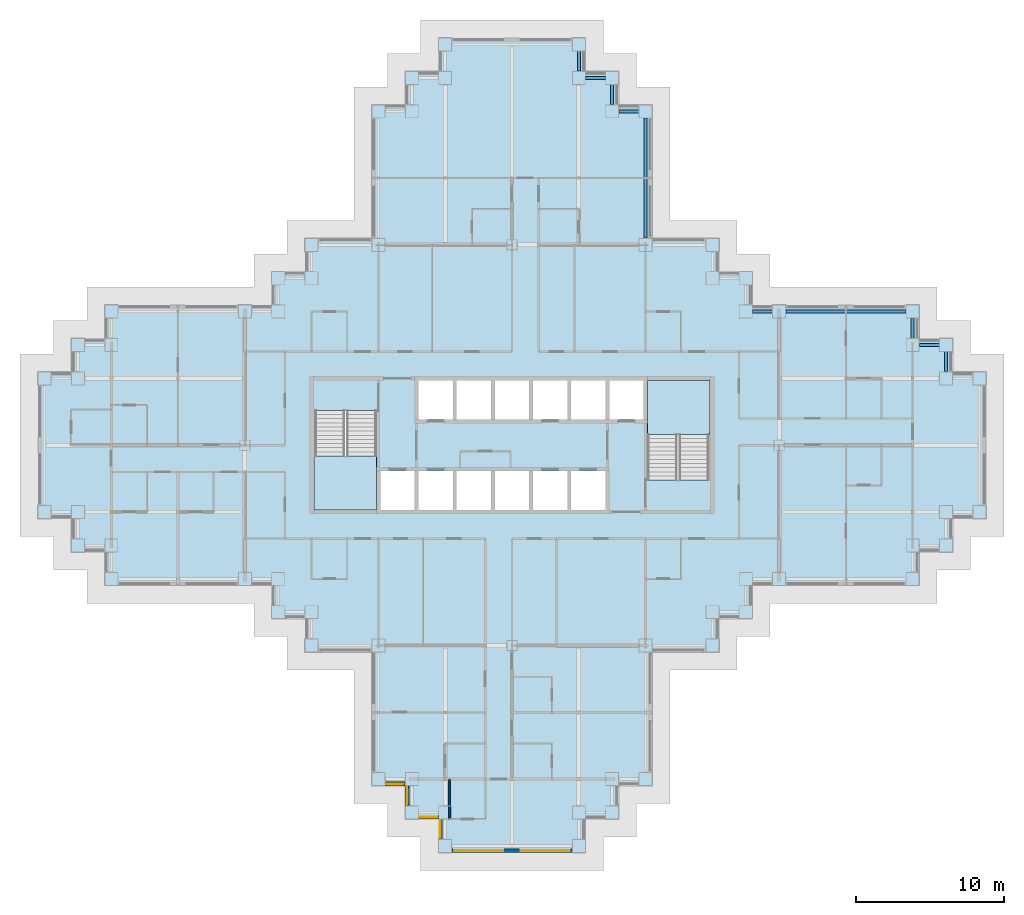
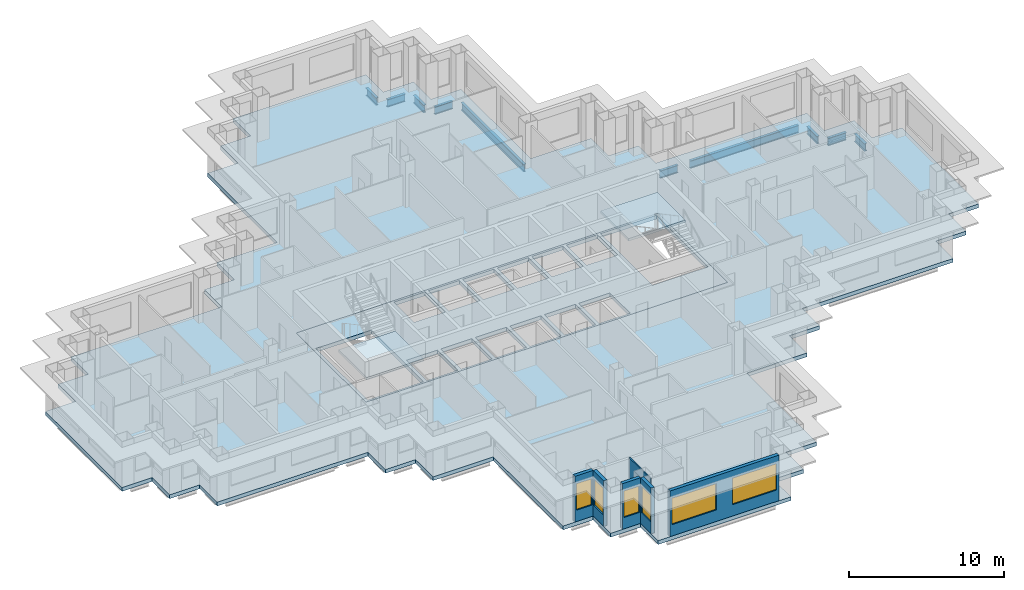
# One storey, part 2 of 15: 10 beams, 6 walls, 6 windows, 4 slabs, 6 openings, 2 elements without a shape of their own.
"""IFC4 building model written with IfcOpenShell, lengths in metres."""

from ifc_helpers import new_model, si_unit, direction, frame, frame_2d, origin, origin_2d, place, context, subcontext, project, spatial, polyline, rectangle, i_section, outline, extrude, material, layer, layer_set, material_profile, profile_set, type_object, element, fill, aggregate, save


model = new_model("IFC4")

# Units and contexts
model_context = context("Model", 3, precision=1e-05, world=origin(), true_north=direction((0.0, 1.0)))
body_context = subcontext(model_context, "Body", "Model", "MODEL_VIEW")
ifc_project = project(units=[si_unit("LENGTHUNIT", "METRE"), si_unit("AREAUNIT", "SQUARE_METRE"), si_unit("VOLUMEUNIT", "CUBIC_METRE"), si_unit("PLANEANGLEUNIT", "RADIAN"), si_unit("MASSUNIT", "GRAM", prefix="KILO")], contexts=[model_context])

# Site, building, storey
site_placement = place(None, origin())
site = spatial("IfcSite", under=ifc_project, at=site_placement, CompositionType="ELEMENT")
building_placement = place(site_placement, origin())
building = spatial("IfcBuilding", under=site, at=building_placement, Name="Caravel Reach Hotel and Residences", CompositionType="ELEMENT")
storey_placement = place(building_placement, frame((0.0, 0.0, 104.39990234375)))
storey = spatial("IfcBuildingStorey", under=building, at=storey_placement, Name="L25", CompositionType="ELEMENT", Elevation=104.39990234375)

# Beams
ifc_material_1 = material(Name="Structural steel Q355B", Category="steel")
ifc_material_profile = material_profile(ifc_material_1, i_section(OverallWidth=0.199951171875, OverallDepth=0.60009765625, WebThickness=0.010986328125, FlangeThickness=0.01708984375, FilletRadius=0.012939453125, at=origin_2d()), Name="HN 600x200x11x17")
ifc_profile_set = profile_set([ifc_material_profile], Name="Structural steel Q355B")
beam_type = type_object("IfcBeamType", Name="Spandrel beam HN 600x200x11x17", PredefinedType="SPANDREL", material=ifc_profile_set)
for number, where, z_axis, x_axis, name in (
    (1, (60.75, 31.949951171875, -0.599853515625), (0.0, 1.0, 0.0), (-1.0, 0.0, 0.0), "SP1 HN 600x200x11x17"),
    (2, (60.300048828125, 33.75, -0.599853515625), (-1.0, 0.0, 0.0), (0.0, -1.0, 0.0), "SP1 HN 600x200x11x17"),
    (3, (58.5, 34.199951171875, -0.599853515625), (0.0, 1.0, 0.0), (-1.0, 0.0, 0.0), "SP1 HN 600x200x11x17"),
):
    element("IfcBeam", number, at=place(storey_placement, frame(where, z_axis=z_axis, x_axis=x_axis)), inside=storey, type_object=beam_type, Name=name, PredefinedType="SPANDREL", context=body_context, shape_type="SweptSolid", body=[
        extrude(i_section(OverallWidth=0.199951171875, OverallDepth=0.60009765625, WebThickness=0.010986328125, FlangeThickness=0.01708984375, FilletRadius=0.012939453125, at=origin_2d()), origin(), (0.0, 0.0, 1.0), 1.35009765625),
    ])
beam_1_placement = place(storey_placement, frame((58.050048828125, 36.0, -0.599853515625), z_axis=(-1.0, 0.0, 0.0), x_axis=(0.0, -1.0, 0.0)))
element("IfcBeam", 4, at=beam_1_placement, inside=storey, type_object=beam_type, Name="SP1 HN 600x200x11x17", PredefinedType="SPANDREL", context=body_context, shape_type="SweptSolid", body=[
    extrude(i_section(OverallWidth=0.199951171875, OverallDepth=0.60009765625, WebThickness=0.010986328125, FlangeThickness=0.01708984375, FilletRadius=0.012939453125, at=origin_2d()), origin(), (0.0, 0.0, 1.0), 8.10009765625),
])
beam_2_placement = place(storey_placement, frame((49.050048828125, 36.0, -0.599853515625), z_axis=(-1.0, 0.0, 0.0), x_axis=(0.0, -1.0, 0.0)))
element("IfcBeam", 5, at=beam_2_placement, inside=storey, type_object=beam_type, Name="SP1 HN 600x200x11x17", PredefinedType="SPANDREL", context=body_context, shape_type="SweptSolid", body=[
    extrude(i_section(OverallWidth=0.199951171875, OverallDepth=0.60009765625, WebThickness=0.010986328125, FlangeThickness=0.01708984375, FilletRadius=0.012939453125, at=origin_2d()), origin(), (0.0, 0.0, 1.0), 1.35009765625),
])
beam_3_placement = place(storey_placement, frame((40.5, 40.949951171875, -0.599853515625), z_axis=(0.0, 1.0, 0.0), x_axis=(-1.0, 0.0, 0.0)))
element("IfcBeam", 6, at=beam_3_placement, inside=storey, type_object=beam_type, Name="SP1 HN 600x200x11x17", PredefinedType="SPANDREL", context=body_context, shape_type="SweptSolid", body=[
    extrude(i_section(OverallWidth=0.199951171875, OverallDepth=0.60009765625, WebThickness=0.010986328125, FlangeThickness=0.01708984375, FilletRadius=0.012939453125, at=origin_2d()), origin(), (0.0, 0.0, 1.0), 8.10009765625),
])
for number, where, z_axis, x_axis, name in (
    (7, (40.050048828125, 49.5, -0.599853515625), (-1.0, 0.0, 0.0), (0.0, -1.0, 0.0), "SP1 HN 600x200x11x17"),
    (8, (38.25, 49.949951171875, -0.599853515625), (0.0, 1.0, 0.0), (-1.0, 0.0, 0.0), "SP1 HN 600x200x11x17"),
    (9, (37.800048828125, 51.75, -0.599853515625), (-1.0, 0.0, 0.0), (0.0, -1.0, 0.0), "SP1 HN 600x200x11x17"),
    (10, (36.0, 52.199951171875, -0.599853515625), (0.0, 1.0, 0.0), (-1.0, 0.0, 0.0), "SP1 HN 600x200x11x17"),
):
    element("IfcBeam", number, at=place(storey_placement, frame(where, z_axis=z_axis, x_axis=x_axis)), inside=storey, type_object=beam_type, Name=name, PredefinedType="SPANDREL", context=body_context, shape_type="SweptSolid", body=[
        extrude(i_section(OverallWidth=0.199951171875, OverallDepth=0.60009765625, WebThickness=0.010986328125, FlangeThickness=0.01708984375, FilletRadius=0.012939453125, at=origin_2d()), origin(), (0.0, 0.0, 1.0), 1.35009765625),
    ])

# Slab
ifc_material_2 = material(Name="Concrete C40", Category="concrete")
ifc_layer_1 = layer(ifc_material_2, 0.300048828125)
ifc_layer_set_1 = layer_set([ifc_layer_1], Name="Core floor slab 300 mm")
slab_type_1 = type_object("IfcSlabType", Name="Core floor slab 300 mm", PredefinedType="FLOOR", material=ifc_layer_set_1)
slab_1_placement = place(storey_placement, frame((0.0, 0.0, -0.2998046875)))
element("IfcSlab", 11, at=slab_1_placement, inside=storey, type_object=slab_type_1, Name="L25 core floor", PredefinedType="FLOOR", context=body_context, shape_type="SweptSolid", body=[
    extrude(outline(polyline([(18.0, 31.5), (45.0, 31.5), (45.0, 22.5), (18.0, 22.5), (18.0, 31.5)]), holes=[polyline([(22.625, 25.27490234375), (22.625, 22.64990234375), (24.9462890625, 22.64990234375), (24.9462890625, 25.27490234375), (22.625, 25.27490234375)]), polyline([(27.517822265625, 25.27490234375), (25.1962890625, 25.27490234375), (25.1962890625, 22.64990234375), (27.517822265625, 22.64990234375), (27.517822265625, 25.27490234375)]), polyline([(30.08935546875, 25.27490234375), (27.767822265625, 25.27490234375), (27.767822265625, 22.64990234375), (30.08935546875, 22.64990234375), (30.08935546875, 25.27490234375)]), polyline([(32.66064453125, 25.27490234375), (30.33935546875, 25.27490234375), (30.33935546875, 22.64990234375), (32.66064453125, 22.64990234375), (32.66064453125, 25.27490234375)]), polyline([(18.22509765625, 22.64990234375), (22.375, 22.64990234375), (22.375, 29.35009765625), (18.22509765625, 29.35009765625), (18.22509765625, 22.64990234375)]), polyline([(27.517822265625, 31.35009765625), (25.1962890625, 31.35009765625), (25.1962890625, 28.72509765625), (27.517822265625, 28.72509765625), (27.517822265625, 31.35009765625)]), polyline([(30.08935546875, 31.35009765625), (27.767822265625, 31.35009765625), (27.767822265625, 28.72509765625), (30.08935546875, 28.72509765625), (30.08935546875, 31.35009765625)]), polyline([(32.91064453125, 25.27490234375), (32.91064453125, 22.64990234375), (35.232177734375, 22.64990234375), (35.232177734375, 25.27490234375), (32.91064453125, 25.27490234375)]), polyline([(37.8037109375, 25.27490234375), (35.482177734375, 25.27490234375), (35.482177734375, 22.64990234375), (37.8037109375, 22.64990234375), (37.8037109375, 25.27490234375)]), polyline([(44.77490234375, 31.35009765625), (40.625, 31.35009765625), (40.625, 24.64990234375), (44.77490234375, 24.64990234375), (44.77490234375, 31.35009765625)]), polyline([(32.66064453125, 31.35009765625), (30.33935546875, 31.35009765625), (30.33935546875, 28.72509765625), (32.66064453125, 28.72509765625), (32.66064453125, 31.35009765625)]), polyline([(35.232177734375, 31.35009765625), (32.91064453125, 31.35009765625), (32.91064453125, 28.72509765625), (35.232177734375, 28.72509765625), (35.232177734375, 31.35009765625)]), polyline([(37.8037109375, 31.35009765625), (35.482177734375, 31.35009765625), (35.482177734375, 28.72509765625), (37.8037109375, 28.72509765625), (37.8037109375, 31.35009765625)]), polyline([(40.375, 31.35009765625), (38.0537109375, 31.35009765625), (38.0537109375, 28.72509765625), (40.375, 28.72509765625), (40.375, 31.35009765625)])]), origin(), (0.0, 0.0, 1.0), 0.2998046875),
])

# Stair, slab
ifc_material_3 = material(Name="Concrete C40", Category="concrete")
stair_type = type_object("IfcStairType", Name="Core stair", PredefinedType="HALF_TURN_STAIR", material=ifc_material_3)
stair_1_placement = place(storey_placement, origin())
stair_1 = element("IfcStair", 12, at=stair_1_placement, inside=storey, type_object=stair_type, Name="L25 Exit stair A", PredefinedType="HALF_TURN_STAIR")
ifc_material_4 = material(Name="Concrete C40", Category="concrete")
ifc_layer_2 = layer(ifc_material_4, 0.199951171875)
ifc_layer_set_2 = layer_set([ifc_layer_2], Name="Core stair landing")
slab_type_2 = type_object("IfcSlabType", Name="Core stair landing", PredefinedType="LANDING", material=ifc_layer_set_2)
slab_2_placement = place(storey_placement, frame((0.0, 0.0, 1.60009765625)))
slab_2 = element("IfcSlab", 13, at=slab_2_placement, type_object=slab_type_2, Name="ST-A landing 1", PredefinedType="LANDING", context=body_context, shape_type="SweptSolid", body=[
    extrude(outline(polyline([(18.14990234375, 26.27001953125), (18.14990234375, 22.64990234375), (22.375, 22.64990234375), (22.375, 26.27001953125), (18.14990234375, 26.27001953125)])), origin(), (0.0, 0.0, 1.0), 0.199951171875),
])
aggregate(stair_1, [slab_2])

stair_2_placement = place(storey_placement, origin())
stair_2 = element("IfcStair", 14, at=stair_2_placement, inside=storey, type_object=stair_type, Name="L25 Exit stair B", PredefinedType="HALF_TURN_STAIR")
slab_3_placement = place(storey_placement, frame((0.0, 0.0, 1.60009765625)))
slab_3 = element("IfcSlab", 15, at=slab_3_placement, type_object=slab_type_2, Name="ST-B landing 1", PredefinedType="LANDING", context=body_context, shape_type="SweptSolid", body=[
    extrude(outline(polyline([(44.85009765625, 27.72998046875), (44.85009765625, 31.35009765625), (40.625, 31.35009765625), (40.625, 27.72998046875), (44.85009765625, 27.72998046875)])), origin(), (0.0, 0.0, 1.0), 0.199951171875),
])
aggregate(stair_2, [slab_3])

# Slab
ifc_material_5 = material(Name="Concrete C40 post-tensioned", Category="concrete")
ifc_layer_3 = layer(ifc_material_5, 0.300048828125)
ifc_layer_set_3 = layer_set([ifc_layer_3], Name="Floor slab 300")
slab_type_3 = type_object("IfcSlabType", Name="Floor slab 300", PredefinedType="FLOOR", material=ifc_layer_set_3)
slab_4_placement = place(storey_placement, frame((0.0, 0.0, -0.2998046875)))
element("IfcSlab", 16, at=slab_4_placement, inside=storey, type_object=slab_type_3, Name="S2 slab L25", PredefinedType="FLOOR", context=body_context, shape_type="SweptSolid", body=[
    extrude(outline(polyline([(17.550048828125, 13.050048828125), (17.550048828125, 15.300048828125), (15.300048828125, 15.300048828125), (15.300048828125, 17.550048828125), (4.050048828125, 17.550048828125), (4.050048828125, 19.800048828125), (1.800048828125, 19.800048828125), (1.800048828125, 22.050048828125), (-0.449951171875, 22.050048828125), (-0.449951171875, 31.949951171875), (1.800048828125, 31.949951171875), (1.800048828125, 34.199951171875), (4.050048828125, 34.199951171875), (4.050048828125, 36.449951171875), (15.300048828125, 36.449951171875), (15.300048828125, 38.699951171875), (17.550048828125, 38.699951171875), (17.550048828125, 40.949951171875), (22.050048828125, 40.949951171875), (22.050048828125, 49.949951171875), (24.300048828125, 49.949951171875), (24.300048828125, 52.199951171875), (26.550048828125, 52.199951171875), (26.550048828125, 54.449951171875), (36.449951171875, 54.449951171875), (36.449951171875, 52.199951171875), (38.699951171875, 52.199951171875), (38.699951171875, 49.949951171875), (40.949951171875, 49.949951171875), (40.949951171875, 40.949951171875), (45.449951171875, 40.949951171875), (45.449951171875, 38.699951171875), (47.699951171875, 38.699951171875), (47.699951171875, 36.449951171875), (58.949951171875, 36.449951171875), (58.949951171875, 34.199951171875), (61.199951171875, 34.199951171875), (61.199951171875, 31.949951171875), (63.449951171875, 31.949951171875), (63.449951171875, 22.050048828125), (61.199951171875, 22.050048828125), (61.199951171875, 19.800048828125), (58.949951171875, 19.800048828125), (58.949951171875, 17.550048828125), (47.699951171875, 17.550048828125), (47.699951171875, 15.300048828125), (45.449951171875, 15.300048828125), (45.449951171875, 13.050048828125), (40.949951171875, 13.050048828125), (40.949951171875, 4.050048828125), (38.699951171875, 4.050048828125), (38.699951171875, 1.800048828125), (36.449951171875, 1.800048828125), (36.449951171875, -0.449951171875), (26.550048828125, -0.449951171875), (26.550048828125, 1.800048828125), (24.300048828125, 1.800048828125), (24.300048828125, 4.050048828125), (22.050048828125, 4.050048828125), (22.050048828125, 13.050048828125), (17.550048828125, 13.050048828125)]), holes=[polyline([(45.0, 31.5), (18.0, 31.5), (18.0, 22.5), (45.0, 22.5), (45.0, 31.5)])]), origin(), (0.0, 0.0, 1.0), 0.2998046875),
])

# Wall
ifc_material_6 = material(Name="Gypsum board on steel stud", Category="steel")
ifc_layer_4 = layer(ifc_material_6, 0.10009765625)
ifc_layer_set_4 = layer_set([ifc_layer_4], Name="Bathroom pod wall 100 mm")
wall_type_1 = type_object("IfcWallType", Name="Bathroom pod wall 100 mm", PredefinedType="PARTITIONING", material=ifc_layer_set_4)
wall_1_placement = place(storey_placement, frame((27.300048828125, 1.800048828125, 0.0), z_axis=(0.0, 0.0, 1.0), x_axis=(0.0, 1.0, 0.0)))
element("IfcWall", 17, at=wall_1_placement, inside=storey, type_object=wall_type_1, Name="L25 wall w105", PredefinedType="PARTITIONING", context=body_context, shape_type="SweptSolid", body=[
    extrude(rectangle(XDim=2.699951171875, YDim=0.10009765625, at=frame_2d((1.35009765625, 0.0))), origin(), (0.0, 0.0, 1.0), 3.300048828125),
])

# Wall, opening, window
ifc_material_7 = material(Name="Insulated rainscreen wall, aluminium cladding", Category="aluminium")
ifc_layer_5 = layer(ifc_material_7, 0.25)
ifc_layer_set_5 = layer_set([ifc_layer_5], Name="EW1 Tower rainscreen wall")
wall_type_2 = type_object("IfcWallType", Name="EW1 Tower rainscreen wall", PredefinedType="SOLIDWALL", material=ifc_layer_set_5)
wall_2_placement = place(storey_placement, frame((22.949951171875, 4.175048828125, 0.0), z_axis=(0.0, 0.0, 1.0), x_axis=(1.0, 0.0, 0.0)))
wall_2 = element("IfcWall", 18, at=wall_2_placement, inside=storey, type_object=wall_type_2, Name="External wall L25 S1.1", PredefinedType="SOLIDWALL", context=body_context, shape_type="SweptSolid", body=[
    extrude(rectangle(XDim=1.35009765625, YDim=0.25, at=frame_2d((0.675048828125, 0.0))), origin(), (0.0, 0.0, 1.0), 3.60009765625),
])
opening_1_placement = place(wall_2_placement, frame((0.10009765625, 0.0, 0.89990234375)))
opening_1 = element("IfcOpeningElement", 19, at=opening_1_placement, cuts=wall_2, Name="Opening WN8", PredefinedType="OPENING", context=body_context, shape_type="SweptSolid", body=[
    extrude(rectangle(XDim=1.14990234375, YDim=2.080078125, at=frame_2d((0.574951171875, 1.0400390625))), frame((0.0, 0.135009765625, 0.0), z_axis=(0.0, -1.0, 0.0), x_axis=(1.0, 0.0, 0.0)), (0.0, 0.0, 1.0), 0.27001953125),
])
ifc_material_8 = material(Name="Dark low-e glazing in black aluminium frame", Category="aluminium")
window_type_1 = type_object("IfcWindowType", Name="Hotel suite corner window 1150 x 2080", PartitioningType="SINGLE_PANEL", PredefinedType="WINDOW", material=ifc_material_8)
window_1_placement = place(opening_1_placement, origin())
window_1 = element("IfcWindow", 20, at=window_1_placement, inside=storey, type_object=window_type_1, Name="Window L25 S1.1.1", OverallHeight=2.080078125, OverallWidth=1.14990234375, PartitioningType="SINGLE_PANEL", PredefinedType="WINDOW", context=body_context, shape_type="SweptSolid", body=[
    extrude(rectangle(XDim=1.14990234375, YDim=2.080078125, at=frame_2d((0.574951171875, 1.0400390625))), frame((0.0, 0.030029296875, 0.0), z_axis=(0.0, -1.0, 0.0), x_axis=(1.0, 0.0, 0.0)), (0.0, 0.0, 1.0), 0.06005859375),
])
fill(opening_1, window_1)

wall_3_placement = place(storey_placement, frame((24.425048828125, 4.050048828125, 0.0), z_axis=(0.0, 0.0, 1.0), x_axis=(0.0, -1.0, 0.0)))
wall_3 = element("IfcWall", 21, at=wall_3_placement, inside=storey, type_object=wall_type_2, Name="External wall L25 W2.1", PredefinedType="SOLIDWALL", context=body_context, shape_type="SweptSolid", body=[
    extrude(rectangle(XDim=1.35009765625, YDim=0.25, at=frame_2d((0.675048828125, 0.0))), origin(), (0.0, 0.0, 1.0), 3.60009765625),
])
opening_2_placement = place(wall_3_placement, frame((0.10009765625, 0.0, 0.89990234375)))
opening_2 = element("IfcOpeningElement", 22, at=opening_2_placement, cuts=wall_3, Name="Opening WN8", PredefinedType="OPENING", context=body_context, shape_type="SweptSolid", body=[
    extrude(rectangle(XDim=1.14990234375, YDim=2.080078125, at=frame_2d((0.574951171875, 1.0400390625))), frame((0.0, 0.135009765625, 0.0), z_axis=(0.0, -1.0, 0.0), x_axis=(1.0, 0.0, 0.0)), (0.0, 0.0, 1.0), 0.27001953125),
])
window_2_placement = place(opening_2_placement, origin())
window_2 = element("IfcWindow", 23, at=window_2_placement, inside=storey, type_object=window_type_1, Name="Window L25 W2.1.1", OverallHeight=2.080078125, OverallWidth=1.14990234375, PartitioningType="SINGLE_PANEL", PredefinedType="WINDOW", context=body_context, shape_type="SweptSolid", body=[
    extrude(rectangle(XDim=1.14990234375, YDim=2.080078125, at=frame_2d((0.574951171875, 1.0400390625))), frame((0.0, 0.030029296875, 0.0), z_axis=(0.0, -1.0, 0.0), x_axis=(1.0, 0.0, 0.0)), (0.0, 0.0, 1.0), 0.06005859375),
])
fill(opening_2, window_2)

wall_4_placement = place(storey_placement, frame((25.199951171875, 1.925048828125, 0.0), z_axis=(0.0, 0.0, 1.0), x_axis=(1.0, 0.0, 0.0)))
wall_4 = element("IfcWall", 24, at=wall_4_placement, inside=storey, type_object=wall_type_2, Name="External wall L25 S3.1", PredefinedType="SOLIDWALL", context=body_context, shape_type="SweptSolid", body=[
    extrude(rectangle(XDim=1.35009765625, YDim=0.25, at=frame_2d((0.675048828125, 0.0))), origin(), (0.0, 0.0, 1.0), 3.60009765625),
])
opening_3_placement = place(wall_4_placement, frame((0.10009765625, 0.0, 0.89990234375)))
opening_3 = element("IfcOpeningElement", 25, at=opening_3_placement, cuts=wall_4, Name="Opening WN8", PredefinedType="OPENING", context=body_context, shape_type="SweptSolid", body=[
    extrude(rectangle(XDim=1.14990234375, YDim=2.080078125, at=frame_2d((0.574951171875, 1.0400390625))), frame((0.0, 0.135009765625, 0.0), z_axis=(0.0, -1.0, 0.0), x_axis=(1.0, 0.0, 0.0)), (0.0, 0.0, 1.0), 0.27001953125),
])
window_3_placement = place(opening_3_placement, origin())
window_3 = element("IfcWindow", 26, at=window_3_placement, inside=storey, type_object=window_type_1, Name="Window L25 S3.1.1", OverallHeight=2.080078125, OverallWidth=1.14990234375, PartitioningType="SINGLE_PANEL", PredefinedType="WINDOW", context=body_context, shape_type="SweptSolid", body=[
    extrude(rectangle(XDim=1.14990234375, YDim=2.080078125, at=frame_2d((0.574951171875, 1.0400390625))), frame((0.0, 0.030029296875, 0.0), z_axis=(0.0, -1.0, 0.0), x_axis=(1.0, 0.0, 0.0)), (0.0, 0.0, 1.0), 0.06005859375),
])
fill(opening_3, window_3)

wall_5_placement = place(storey_placement, frame((26.675048828125, 1.800048828125, 0.0), z_axis=(0.0, 0.0, 1.0), x_axis=(0.0, -1.0, 0.0)))
wall_5 = element("IfcWall", 27, at=wall_5_placement, inside=storey, type_object=wall_type_2, Name="External wall L25 W4.1", PredefinedType="SOLIDWALL", context=body_context, shape_type="SweptSolid", body=[
    extrude(rectangle(XDim=1.35009765625, YDim=0.25, at=frame_2d((0.675048828125, 0.0))), origin(), (0.0, 0.0, 1.0), 3.60009765625),
])
opening_4_placement = place(wall_5_placement, frame((0.10009765625, 0.0, 0.89990234375)))
opening_4 = element("IfcOpeningElement", 28, at=opening_4_placement, cuts=wall_5, Name="Opening WN8", PredefinedType="OPENING", context=body_context, shape_type="SweptSolid", body=[
    extrude(rectangle(XDim=1.14990234375, YDim=2.080078125, at=frame_2d((0.574951171875, 1.0400390625))), frame((0.0, 0.135009765625, 0.0), z_axis=(0.0, -1.0, 0.0), x_axis=(1.0, 0.0, 0.0)), (0.0, 0.0, 1.0), 0.27001953125),
])
window_4_placement = place(opening_4_placement, origin())
window_4 = element("IfcWindow", 29, at=window_4_placement, inside=storey, type_object=window_type_1, Name="Window L25 W4.1.1", OverallHeight=2.080078125, OverallWidth=1.14990234375, PartitioningType="SINGLE_PANEL", PredefinedType="WINDOW", context=body_context, shape_type="SweptSolid", body=[
    extrude(rectangle(XDim=1.14990234375, YDim=2.080078125, at=frame_2d((0.574951171875, 1.0400390625))), frame((0.0, 0.030029296875, 0.0), z_axis=(0.0, -1.0, 0.0), x_axis=(1.0, 0.0, 0.0)), (0.0, 0.0, 1.0), 0.06005859375),
])
fill(opening_4, window_4)

# Wall, openings, windows
wall_6_placement = place(storey_placement, frame((27.449951171875, -0.324951171875, 0.0), z_axis=(0.0, 0.0, 1.0), x_axis=(1.0, 0.0, 0.0)))
wall_6 = element("IfcWall", 30, at=wall_6_placement, inside=storey, type_object=wall_type_2, Name="External wall L25 S5.1", PredefinedType="SOLIDWALL", context=body_context, shape_type="SweptSolid", body=[
    extrude(rectangle(XDim=8.10009765625, YDim=0.25, at=frame_2d((4.050048828125, 0.0))), origin(), (0.0, 0.0, 1.0), 3.60009765625),
])
opening_5_placement = place(wall_6_placement, frame((0.14990234375, 0.0, 0.89990234375)))
opening_5 = element("IfcOpeningElement", 31, at=opening_5_placement, cuts=wall_6, Name="Opening WN4", PredefinedType="OPENING", context=body_context, shape_type="SweptSolid", body=[
    extrude(rectangle(XDim=3.300048828125, YDim=2.080078125, at=frame_2d((1.64990234375, 1.0400390625))), frame((0.0, 0.135009765625, 0.0), z_axis=(0.0, -1.0, 0.0), x_axis=(1.0, 0.0, 0.0)), (0.0, 0.0, 1.0), 0.27001953125),
])
opening_6_placement = place(wall_6_placement, frame((4.64990234375, 0.0, 0.89990234375)))
opening_6 = element("IfcOpeningElement", 32, at=opening_6_placement, cuts=wall_6, Name="Opening WN4", PredefinedType="OPENING", context=body_context, shape_type="SweptSolid", body=[
    extrude(rectangle(XDim=3.300048828125, YDim=2.080078125, at=frame_2d((1.64990234375, 1.0400390625))), frame((0.0, 0.135009765625, 0.0), z_axis=(0.0, -1.0, 0.0), x_axis=(1.0, 0.0, 0.0)), (0.0, 0.0, 1.0), 0.27001953125),
])
ifc_material_9 = material(Name="Dark low-e glazing in black aluminium frame", Category="aluminium")
window_type_2 = type_object("IfcWindowType", Name="Hotel guest room window 3300 x 2080", PartitioningType="SINGLE_PANEL", PredefinedType="WINDOW", material=ifc_material_9)
window_5_placement = place(opening_5_placement, origin())
window_5 = element("IfcWindow", 33, at=window_5_placement, inside=storey, type_object=window_type_2, Name="Window L25 S5.1.1", OverallHeight=2.080078125, OverallWidth=3.300048828125, PartitioningType="SINGLE_PANEL", PredefinedType="WINDOW", context=body_context, shape_type="SweptSolid", body=[
    extrude(rectangle(XDim=3.300048828125, YDim=2.080078125, at=frame_2d((1.64990234375, 1.0400390625))), frame((0.0, 0.030029296875, 0.0), z_axis=(0.0, -1.0, 0.0), x_axis=(1.0, 0.0, 0.0)), (0.0, 0.0, 1.0), 0.06005859375),
])
fill(opening_5, window_5)
window_6_placement = place(opening_6_placement, origin())
window_6 = element("IfcWindow", 34, at=window_6_placement, inside=storey, type_object=window_type_2, Name="Window L25 S5.1.2", OverallHeight=2.080078125, OverallWidth=3.300048828125, PartitioningType="SINGLE_PANEL", PredefinedType="WINDOW", context=body_context, shape_type="SweptSolid", body=[
    extrude(rectangle(XDim=3.300048828125, YDim=2.080078125, at=frame_2d((1.64990234375, 1.0400390625))), frame((0.0, 0.030029296875, 0.0), z_axis=(0.0, -1.0, 0.0), x_axis=(1.0, 0.0, 0.0)), (0.0, 0.0, 1.0), 0.06005859375),
])
fill(opening_6, window_6)

save(model, "model.ifc")
